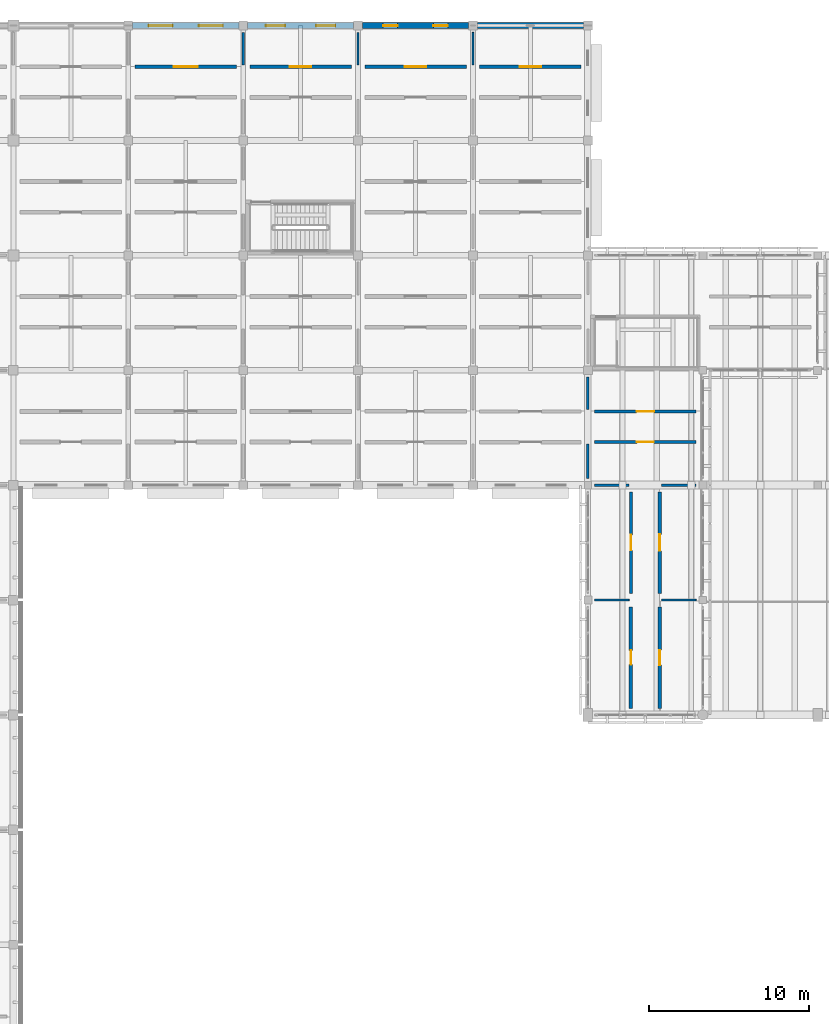
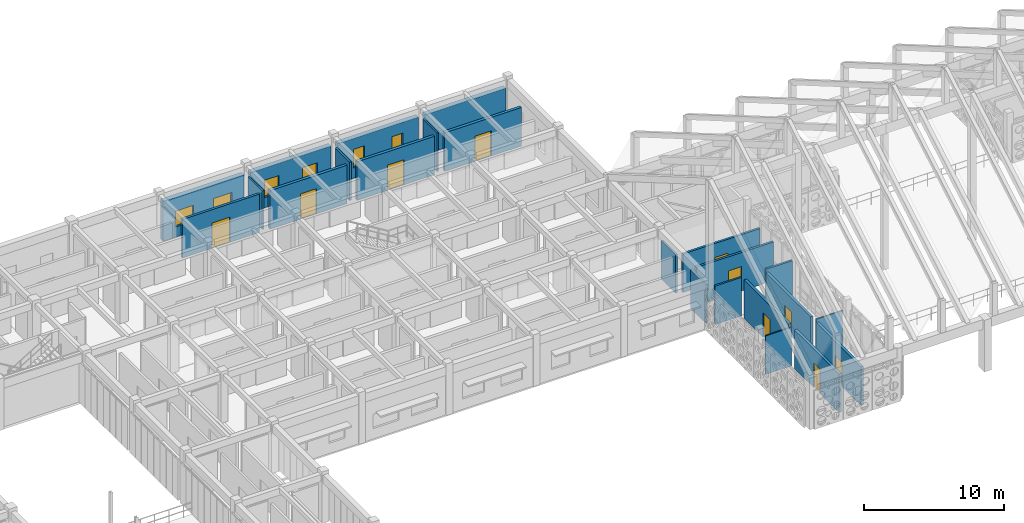
# One storey, part 129 of 171: 23 walls, 10 doors, 6 windows, 16 openings.
"""IFC4 building model written with IfcOpenShell, lengths in metres."""

import ifcopenshell
import ifcopenshell.guid

model = None  # the IFC model being written
_history = None  # IfcOwnerHistory: only IFC2X3 demands one
_inside = {}  # id of a spatial element -> (the spatial element, [elements in it])
_under = {}  # id of a project, library or spatial element -> (it, [spatial elements below it])
_declared = {}  # id of a project -> (the project, [libraries it declares])
_typed = {}  # id of a type object -> (the type object, [elements of that type])
_made_of = {}  # id of a material, layer set ... -> (it, [elements and type objects made of it])


def new_model(schema):
    """Start an empty IFC model of exactly this schema.

    Asked for "IFC4X3", IfcOpenShell would pick the latest addendum, in which some entities
    have other attributes; the version numbers below select the first issue.
    IFC2X3 requires an IfcOwnerHistory on every rooted entity: one is made here for all.
    """
    global model, _history
    if schema == "IFC4X3":
        model = ifcopenshell.file(schema_version=(4, 3, 0, 0))
    else:
        model = ifcopenshell.file(schema=schema)
    _inside.clear()
    _under.clear()
    _declared.clear()
    _typed.clear()
    _made_of.clear()
    _history = None
    if model.schema == "IFC2X3":
        org = make("IfcOrganization", Name="unknown")
        user = make(
            "IfcPersonAndOrganization",
            ThePerson=make("IfcPerson", FamilyName="unknown"),
            TheOrganization=org,
        )
        app = make(
            "IfcApplication",
            ApplicationDeveloper=org,
            Version="unknown",
            ApplicationFullName="unknown",
            ApplicationIdentifier="unknown",
        )
        _history = make(
            "IfcOwnerHistory",
            OwningUser=user,
            OwningApplication=app,
            ChangeAction="ADDED",
            CreationDate=0,
        )
    return model


def make(cls, **values):
    """One entity of the class cls with the attributes given. An attribute that is None is left unset."""
    return model.create_entity(
        cls, **{name: value for name, value in values.items() if value is not None}
    )


def rooted(cls, **values):
    """An entity with a GlobalId (a new one), such as an element, a storey or a relation."""
    return make(cls, GlobalId=ifcopenshell.guid.new(), OwnerHistory=_history, **values)


def si_unit(unit_type, name, prefix=None):
    """IfcSIUnit, for example si_unit("LENGTHUNIT", "METRE", prefix="MILLI")."""
    return make("IfcSIUnit", UnitType=unit_type, Prefix=prefix, Name=name)


def assignment(units):
    """IfcUnitAssignment: the units of a project."""
    return None if units is None else make("IfcUnitAssignment", Units=units)


def point(xyz):
    """IfcCartesianPoint."""
    return None if xyz is None else make("IfcCartesianPoint", Coordinates=xyz)


def direction(xyz):
    """IfcDirection."""
    return None if xyz is None else make("IfcDirection", DirectionRatios=xyz)


def frame(location, z_axis=None, x_axis=None):
    """IfcAxis2Placement3D, a coordinate frame: its origin and axes. An axis left out is left unset."""
    return make(
        "IfcAxis2Placement3D",
        Location=point(location),
        Axis=direction(z_axis),
        RefDirection=direction(x_axis),
    )


def frame_2d(location, x_axis=None):
    """IfcAxis2Placement2D, a coordinate frame in the plane: its origin and x axis."""
    return make(
        "IfcAxis2Placement2D", Location=point(location), RefDirection=direction(x_axis)
    )


def origin():
    """The frame at (0, 0, 0) with its axes left unset."""
    return frame((0.0, 0.0, 0.0))


def place(relative_to, where):
    """IfcLocalPlacement: puts the frame where relative to a parent placement (None: the world)."""
    return make(
        "IfcLocalPlacement", PlacementRelTo=relative_to, RelativePlacement=where
    )


def context(
    kind, dimensions, precision=None, world=None, true_north=None, identifier=None
):
    """IfcGeometricRepresentationContext, for example the 3D "Model" context."""
    return make(
        "IfcGeometricRepresentationContext",
        ContextIdentifier=identifier,
        ContextType=kind,
        CoordinateSpaceDimension=dimensions,
        Precision=precision,
        WorldCoordinateSystem=world,
        TrueNorth=true_north,
    )


def subcontext(parent, identifier, kind, view, scale=None):
    """IfcGeometricRepresentationSubContext, for example "Body" below "Model"."""
    return make(
        "IfcGeometricRepresentationSubContext",
        ContextIdentifier=identifier,
        ContextType=kind,
        ParentContext=parent,
        TargetScale=scale,
        TargetView=view,
    )


def project(units=None, contexts=None):
    """IfcProject with its units and contexts."""
    return rooted(
        "IfcProject",
        Name="project",
        RepresentationContexts=contexts,
        UnitsInContext=assignment(units),
    )


def spatial(cls, under=None, at=None, **own):
    """A site, building, storey or space (cls), placed at a placement, below another one or the project."""
    s = rooted(cls, ObjectPlacement=at, **own)
    if under is not None:
        _under.setdefault(under.id(), (under, []))[1].append(s)
    return s


def profile(cls, at=None, kind="AREA", **sizes):
    """A parametric profile (cls). Its sizes go by their IFC names, for example OverallWidth=200.0."""
    return make(cls, ProfileType=kind, Position=at, **sizes)


def rectangle(**sizes):
    """IfcRectangleProfileDef."""
    return profile("IfcRectangleProfileDef", **sizes)


def extrude(swept, where, along, depth):
    """IfcExtrudedAreaSolid: the profile swept, set in the frame where, extruded along a direction by depth."""
    return make(
        "IfcExtrudedAreaSolid",
        SweptArea=swept,
        Position=where,
        ExtrudedDirection=direction(along),
        Depth=depth,
    )


def shape(context_of_items, identifier, shape_type, items):
    """IfcShapeRepresentation: the items that make up one representation, for example the "Body"."""
    return make(
        "IfcShapeRepresentation",
        ContextOfItems=context_of_items,
        RepresentationIdentifier=identifier,
        RepresentationType=shape_type,
        Items=items,
    )


def material(Name=None, Category=None):
    """IfcMaterial."""
    return make("IfcMaterial", Name=Name, Category=Category)


def layer(
    of_material, thickness, ventilated=None, Name=None, Category=None, Priority=None
):
    """IfcMaterialLayer: one layer of a wall or slab, of a material (None: an air gap)."""
    return make(
        "IfcMaterialLayer",
        Material=of_material,
        LayerThickness=thickness,
        IsVentilated=ventilated,
        Name=Name,
        Category=Category,
        Priority=Priority,
    )


def layer_set(layers, Name=None):
    """IfcMaterialLayerSet."""
    return make("IfcMaterialLayerSet", MaterialLayers=layers, LayerSetName=Name)


def made_of(thing, what):
    """Note that an element or type object is made of a material, layer set ...; save() writes the relation."""
    if what is not None:
        _made_of.setdefault(what.id(), (what, []))[1].append(thing)
    return thing


def type_object(cls, material=None, **own):
    """A type object (cls), such as IfcWallType, which elements share."""
    return made_of(rooted(cls, **own), material)


def element(
    cls,
    number,
    at=None,
    inside=None,
    cuts=None,
    type_object=None,
    material=None,
    context=None,
    identifier="Body",
    shape_type=None,
    held_by="IfcProductDefinitionShape",
    body=None,
    shapes=None,
    **own,
):
    """One element of the class cls, such as IfcWall. Its Tag is "e" and its number.

    at: its placement. inside: the storey or other place that contains it. cuts: it is an
    opening in that element (IfcRelVoidsElement). A single representation is given by context,
    identifier, shape_type and body (its items); several are given by shapes. held_by: the class
    of the entity that holds the representations. save() writes the other relations.
    """
    e = rooted(cls, Tag="e%d" % number, ObjectPlacement=at, **own)
    if body is not None:
        shapes = [shape(context, identifier, shape_type, body)]
    if shapes is not None:
        e.Representation = make(held_by, Representations=shapes)
    if inside is not None:
        _inside.setdefault(inside.id(), (inside, []))[1].append(e)
    if cuts is not None:
        rooted(
            "IfcRelVoidsElement", RelatingBuildingElement=cuts, RelatedOpeningElement=e
        )
    if type_object is not None:
        _typed.setdefault(type_object.id(), (type_object, []))[1].append(e)
    return made_of(e, material)


def fill(opening, filler):
    """IfcRelFillsElement: the door or window that sits in an opening."""
    return rooted(
        "IfcRelFillsElement",
        RelatingOpeningElement=opening,
        RelatedBuildingElement=filler,
    )


def aggregate(whole, parts):
    """IfcRelAggregates: a whole, such as a stair, and the parts it consists of."""
    return rooted("IfcRelAggregates", RelatingObject=whole, RelatedObjects=parts)


def save(model, path):
    """Write the relations noted so far, then the file.

    IfcRelAggregates (storeys below a building ...), IfcRelContainedInSpatialStructure (elements
    in a storey), IfcRelDefinesByType, IfcRelAssociatesMaterial and IfcRelDeclares: one each for
    every whole, place, type object, material and project.
    """
    for whole, parts in _under.values():
        aggregate(whole, parts)
    for where, things in _inside.values():
        rooted(
            "IfcRelContainedInSpatialStructure",
            RelatedElements=things,
            RelatingStructure=where,
        )
    for kind, things in _typed.values():
        rooted("IfcRelDefinesByType", RelatedObjects=things, RelatingType=kind)
    for what, things in _made_of.values():
        rooted("IfcRelAssociatesMaterial", RelatedObjects=things, RelatingMaterial=what)
    for by, libraries in _declared.values():
        rooted("IfcRelDeclares", RelatingContext=by, RelatedDefinitions=libraries)
    model.write(path)


model = new_model("IFC4")

# Units and contexts
model_context = context("Model", 3, precision=1e-05, world=origin(), true_north=direction((0.0, 1.0)))
body_context = subcontext(model_context, "Body", "Model", "MODEL_VIEW")
ifc_project = project(units=[si_unit("LENGTHUNIT", "METRE"), si_unit("AREAUNIT", "SQUARE_METRE"), si_unit("VOLUMEUNIT", "CUBIC_METRE"), si_unit("PLANEANGLEUNIT", "RADIAN"), si_unit("MASSUNIT", "GRAM", prefix="KILO")], contexts=[model_context])

# Site, building, storey
site_placement = place(None, origin())
site = spatial("IfcSite", under=ifc_project, at=site_placement, CompositionType="ELEMENT")
building_placement = place(site_placement, origin())
building = spatial("IfcBuilding", under=site, at=building_placement, Name="Aldebral Square Health Centre", CompositionType="ELEMENT")
storey_placement = place(building_placement, frame((0.0, 0.0, 4.5)))
storey = spatial("IfcBuildingStorey", under=building, at=storey_placement, Name="L01", CompositionType="ELEMENT", Elevation=4.5)

# Wall, openings, windows
ifc_material_1 = material(Name="Lead-lined concrete C40/50 radiology exterior wall", Category="concrete")
ifc_layer_1 = layer(ifc_material_1, 0.3798828125, Name="Lead-lined concrete C40/50 radiology exterior wall", Category="concrete")
ifc_layer_set_1 = layer_set([ifc_layer_1], Name="Lead-lined concrete C40/50 radiology exterior wall")
wall_type_1 = type_object("IfcWallType", Name="EW-SHD-380", PredefinedType="SOLIDWALL", material=ifc_layer_set_1)
wall_1_placement = place(storey_placement, frame((42.925048828125, 115.199951171875, 0.0), z_axis=(0.0, 0.0, 1.0), x_axis=(-1.0, 0.0, 0.0)))
wall_1 = element("IfcWall", 1, at=wall_1_placement, inside=storey, type_object=wall_type_1, Name="L01 V2 exterior wall L01-V2-05-15-N", PredefinedType="SOLIDWALL", context=body_context, shape_type="SweptSolid", body=[
    extrude(rectangle(XDim=6.650146484375, YDim=0.3798828125, at=frame_2d((3.3251953125, 0.0))), origin(), (0.0, 0.0, 1.0), 3.469970703125),
])
opening_1_placement = place(wall_1_placement, frame((1.0, 0.0, 0.89990234375)))
opening_1 = element("IfcOpeningElement", 2, at=opening_1_placement, cuts=wall_1, Name="Opening W14", PredefinedType="OPENING", context=body_context, shape_type="SweptSolid", body=[
    extrude(rectangle(XDim=1.5, YDim=1.3798828125, at=frame_2d((0.75, 0.68994140625))), frame((0.0, 0.199951171875, 0.0), z_axis=(0.0, -1.0, 0.0), x_axis=(1.0, 0.0, 0.0)), (0.0, 0.0, 1.0), 0.39990234375),
])
opening_2_placement = place(wall_1_placement, frame((4.14990234375, 0.0, 0.89990234375)))
opening_2 = element("IfcOpeningElement", 3, at=opening_2_placement, cuts=wall_1, Name="Opening W14", PredefinedType="OPENING", context=body_context, shape_type="SweptSolid", body=[
    extrude(rectangle(XDim=1.5, YDim=1.3798828125, at=frame_2d((0.75, 0.68994140625))), frame((0.0, 0.199951171875, 0.0), z_axis=(0.0, -1.0, 0.0), x_axis=(1.0, 0.0, 0.0)), (0.0, 0.0, 1.0), 0.39990234375),
])
ifc_material_2 = material(Name="Thermally broken aluminium and low-E glass", Category="aluminium")
window_type_1 = type_object("IfcWindowType", Name="WIN-W14", PartitioningType="SINGLE_PANEL", PredefinedType="WINDOW", material=ifc_material_2)
window_1_placement = place(opening_1_placement, origin())
window_1 = element("IfcWindow", 4, at=window_1_placement, inside=storey, type_object=window_type_1, Name="L01 clinical window L01-V2-05-15-N.1", OverallHeight=1.3798828125, OverallWidth=1.5, PartitioningType="SINGLE_PANEL", PredefinedType="WINDOW", context=body_context, shape_type="SweptSolid", body=[
    extrude(rectangle(XDim=1.5, YDim=1.3798828125, at=frame_2d((0.75, 0.68994140625))), frame((0.0, 0.030029296875, 0.0), z_axis=(0.0, -1.0, 0.0), x_axis=(1.0, 0.0, 0.0)), (0.0, 0.0, 1.0), 0.06005859375),
])
fill(opening_1, window_1)
window_2_placement = place(opening_2_placement, origin())
window_2 = element("IfcWindow", 5, at=window_2_placement, inside=storey, type_object=window_type_1, Name="L01 clinical window L01-V2-05-15-N.2", OverallHeight=1.3798828125, OverallWidth=1.5, PartitioningType="SINGLE_PANEL", PredefinedType="WINDOW", context=body_context, shape_type="SweptSolid", body=[
    extrude(rectangle(XDim=1.5, YDim=1.3798828125, at=frame_2d((0.75, 0.68994140625))), frame((0.0, 0.030029296875, 0.0), z_axis=(0.0, -1.0, 0.0), x_axis=(1.0, 0.0, 0.0)), (0.0, 0.0, 1.0), 0.06005859375),
])
fill(opening_2, window_2)

wall_2_placement = place(storey_placement, frame((50.125, 115.199951171875, 0.0), z_axis=(0.0, 0.0, 1.0), x_axis=(-1.0, 0.0, 0.0)))
wall_2 = element("IfcWall", 6, at=wall_2_placement, inside=storey, type_object=wall_type_1, Name="L01 V2 exterior wall L01-V2-06-15-N", PredefinedType="SOLIDWALL", context=body_context, shape_type="SweptSolid", body=[
    extrude(rectangle(XDim=6.64990234375, YDim=0.3798828125, at=frame_2d((3.324951171875, 0.0))), origin(), (0.0, 0.0, 1.0), 3.469970703125),
])
opening_3_placement = place(wall_2_placement, frame((1.14990234375, 0.0, 0.89990234375)))
opening_3 = element("IfcOpeningElement", 7, at=opening_3_placement, cuts=wall_2, Name="Opening W21", PredefinedType="OPENING", context=body_context, shape_type="SweptSolid", body=[
    extrude(rectangle(XDim=1.199951171875, YDim=1.5, at=frame_2d((0.60009765625, 0.75))), frame((0.0, 0.199951171875, 0.0), z_axis=(0.0, -1.0, 0.0), x_axis=(1.0, 0.0, 0.0)), (0.0, 0.0, 1.0), 0.39990234375),
])
opening_4_placement = place(wall_2_placement, frame((4.300048828125, 0.0, 0.89990234375)))
opening_4 = element("IfcOpeningElement", 8, at=opening_4_placement, cuts=wall_2, Name="Opening W21", PredefinedType="OPENING", context=body_context, shape_type="SweptSolid", body=[
    extrude(rectangle(XDim=1.199951171875, YDim=1.5, at=frame_2d((0.60009765625, 0.75))), frame((0.0, 0.199951171875, 0.0), z_axis=(0.0, -1.0, 0.0), x_axis=(1.0, 0.0, 0.0)), (0.0, 0.0, 1.0), 0.39990234375),
])
window_type_2 = type_object("IfcWindowType", Name="WIN-W21", PartitioningType="SINGLE_PANEL", PredefinedType="WINDOW", material=ifc_material_2)
window_3_placement = place(opening_3_placement, origin())
window_3 = element("IfcWindow", 9, at=window_3_placement, inside=storey, type_object=window_type_2, Name="L01 clinical window L01-V2-06-15-N.1", OverallHeight=1.5, OverallWidth=1.199951171875, PartitioningType="SINGLE_PANEL", PredefinedType="WINDOW", context=body_context, shape_type="SweptSolid", body=[
    extrude(rectangle(XDim=1.199951171875, YDim=1.5, at=frame_2d((0.60009765625, 0.75))), frame((0.0, 0.030029296875, 0.0), z_axis=(0.0, -1.0, 0.0), x_axis=(1.0, 0.0, 0.0)), (0.0, 0.0, 1.0), 0.06005859375),
])
fill(opening_3, window_3)
window_4_placement = place(opening_4_placement, origin())
window_4 = element("IfcWindow", 10, at=window_4_placement, inside=storey, type_object=window_type_2, Name="L01 clinical window L01-V2-06-15-N.2", OverallHeight=1.5, OverallWidth=1.199951171875, PartitioningType="SINGLE_PANEL", PredefinedType="WINDOW", context=body_context, shape_type="SweptSolid", body=[
    extrude(rectangle(XDim=1.199951171875, YDim=1.5, at=frame_2d((0.60009765625, 0.75))), frame((0.0, 0.030029296875, 0.0), z_axis=(0.0, -1.0, 0.0), x_axis=(1.0, 0.0, 0.0)), (0.0, 0.0, 1.0), 0.06005859375),
])
fill(opening_4, window_4)

wall_3_placement = place(storey_placement, frame((57.324951171875, 115.199951171875, 0.0), z_axis=(0.0, 0.0, 1.0), x_axis=(-1.0, 0.0, 0.0)))
wall_3 = element("IfcWall", 11, at=wall_3_placement, inside=storey, type_object=wall_type_1, Name="L01 V2 exterior wall L01-V2-07-15-N", PredefinedType="SOLIDWALL", context=body_context, shape_type="SweptSolid", body=[
    extrude(rectangle(XDim=6.64990234375, YDim=0.3798828125, at=frame_2d((3.324951171875, 0.0))), origin(), (0.0, 0.0, 1.0), 3.469970703125),
])
opening_5_placement = place(wall_3_placement, frame((1.300048828125, 0.0, 0.89990234375)))
opening_5 = element("IfcOpeningElement", 12, at=opening_5_placement, cuts=wall_3, Name="Opening W28", PredefinedType="OPENING", context=body_context, shape_type="SweptSolid", body=[
    extrude(rectangle(XDim=0.89990234375, YDim=1.6201171875, at=frame_2d((0.449951171875, 0.81005859375))), frame((0.0, 0.199951171875, 0.0), z_axis=(0.0, -1.0, 0.0), x_axis=(1.0, 0.0, 0.0)), (0.0, 0.0, 1.0), 0.39990234375),
])
opening_6_placement = place(wall_3_placement, frame((4.449951171875, 0.0, 0.89990234375)))
opening_6 = element("IfcOpeningElement", 13, at=opening_6_placement, cuts=wall_3, Name="Opening W28", PredefinedType="OPENING", context=body_context, shape_type="SweptSolid", body=[
    extrude(rectangle(XDim=0.89990234375, YDim=1.6201171875, at=frame_2d((0.449951171875, 0.81005859375))), frame((0.0, 0.199951171875, 0.0), z_axis=(0.0, -1.0, 0.0), x_axis=(1.0, 0.0, 0.0)), (0.0, 0.0, 1.0), 0.39990234375),
])
window_type_3 = type_object("IfcWindowType", Name="WIN-W28", PartitioningType="SINGLE_PANEL", PredefinedType="WINDOW", material=ifc_material_2)
window_5_placement = place(opening_5_placement, origin())
window_5 = element("IfcWindow", 14, at=window_5_placement, inside=storey, type_object=window_type_3, Name="L01 clinical window L01-V2-07-15-N.1", OverallHeight=1.6201171875, OverallWidth=0.89990234375, PartitioningType="SINGLE_PANEL", PredefinedType="WINDOW", context=body_context, shape_type="SweptSolid", body=[
    extrude(rectangle(XDim=0.89990234375, YDim=1.6201171875, at=frame_2d((0.449951171875, 0.81005859375))), frame((0.0, 0.030029296875, 0.0), z_axis=(0.0, -1.0, 0.0), x_axis=(1.0, 0.0, 0.0)), (0.0, 0.0, 1.0), 0.06005859375),
])
fill(opening_5, window_5)
window_6_placement = place(opening_6_placement, origin())
window_6 = element("IfcWindow", 15, at=window_6_placement, inside=storey, type_object=window_type_3, Name="L01 clinical window L01-V2-07-15-N.2", OverallHeight=1.6201171875, OverallWidth=0.89990234375, PartitioningType="SINGLE_PANEL", PredefinedType="WINDOW", context=body_context, shape_type="SweptSolid", body=[
    extrude(rectangle(XDim=0.89990234375, YDim=1.6201171875, at=frame_2d((0.449951171875, 0.81005859375))), frame((0.0, 0.030029296875, 0.0), z_axis=(0.0, -1.0, 0.0), x_axis=(1.0, 0.0, 0.0)), (0.0, 0.0, 1.0), 0.06005859375),
])
fill(opening_6, window_6)

# Wall
wall_4_placement = place(storey_placement, frame((64.52490234375, 115.199951171875, 0.0), z_axis=(0.0, 0.0, 1.0), x_axis=(-1.0, 0.0, 0.0)))
element("IfcWall", 16, at=wall_4_placement, inside=storey, type_object=wall_type_1, Name="L01 V2 exterior wall L01-V2-08-15-N", PredefinedType="SOLIDWALL", context=body_context, shape_type="SweptSolid", body=[
    extrude(rectangle(XDim=6.64990234375, YDim=0.3798828125, at=frame_2d((3.324951171875, 0.0))), origin(), (0.0, 0.0, 1.0), 3.469970703125),
])

# Wall, opening, door
ifc_material_3 = material(Name="Concrete C35/45 compartment wall", Category="concrete")
ifc_layer_2 = layer(ifc_material_3, 0.199951171875, Name="Concrete C35/45 compartment wall", Category="concrete")
ifc_layer_set_2 = layer_set([ifc_layer_2], Name="Concrete C35/45 compartment wall")
wall_type_2 = type_object("IfcWallType", Name="IW-CMP-200", PredefinedType="SOLIDWALL", material=ifc_layer_set_2)
wall_5_placement = place(storey_placement, frame((67.5, 79.6201171875, 0.0), z_axis=(0.0, 0.0, 1.0), x_axis=(0.0, 1.0, 0.0)))
wall_5 = element("IfcWall", 17, at=wall_5_placement, inside=storey, type_object=wall_type_2, Name="L01 Outpatient Pharmacy Counseling 10.12W corridor wall", PredefinedType="SOLIDWALL", context=body_context, shape_type="SweptSolid", body=[
    extrude(rectangle(XDim=6.35986328125, YDim=0.199951171875, at=frame_2d((3.179931640625, 0.0))), origin(), (0.0, 0.0, 1.0), 3.360107421875),
])
opening_7_placement = place(wall_5_placement, frame((2.68994140625, 0.0, 0.0)))
opening_7 = element("IfcOpeningElement", 18, at=opening_7_placement, cuts=wall_5, Name="Opening D-0187", PredefinedType="OPENING", context=body_context, shape_type="SweptSolid", body=[
    extrude(rectangle(XDim=0.97998046875, YDim=2.139892578125, at=frame_2d((0.489990234375, 1.06982421875))), frame((0.0, 0.10986328125, 0.0), z_axis=(0.0, -1.0, 0.0), x_axis=(1.0, 0.0, 0.0)), (0.0, 0.0, 1.0), 0.219970703125),
])
ifc_material_4 = material(Name="Clinical suite fire door")
door_type_1 = type_object("IfcDoorType", Name="ID-EXD-34", OperationType="NOTDEFINED", PredefinedType="DOOR", material=ifc_material_4)
door_1_placement = place(opening_7_placement, origin())
door_1 = element("IfcDoor", 19, at=door_1_placement, inside=storey, type_object=door_type_1, Name="L01 Outpatient Pharmacy Counseling 10.12W door", OperationType="SINGLE_SWING_RIGHT", OverallHeight=2.139892578125, OverallWidth=0.97998046875, PredefinedType="DOOR", context=body_context, shape_type="SweptSolid", body=[
    extrude(rectangle(XDim=0.97998046875, YDim=2.139892578125, at=frame_2d((0.489990234375, 1.06982421875))), frame((0.0, 0.02490234375, 0.0), z_axis=(0.0, -1.0, 0.0), x_axis=(1.0, 0.0, 0.0)), (0.0, 0.0, 1.0), 0.050048828125),
])
fill(opening_7, door_1)

wall_6_placement = place(storey_placement, frame((36.419921875, 112.6201171875, 0.0), z_axis=(0.0, 0.0, 1.0), x_axis=(1.0, 0.0, 0.0)))
wall_6 = element("IfcWall", 20, at=wall_6_placement, inside=storey, type_object=wall_type_2, Name="L01 Imaging Equipment Plant Room 6.16N corridor wall", PredefinedType="SOLIDWALL", context=body_context, shape_type="SweptSolid", body=[
    extrude(rectangle(XDim=6.360107421875, YDim=0.199951171875, at=frame_2d((3.18017578125, 0.0))), origin(), (0.0, 0.0, 1.0), 3.360107421875),
])
opening_8_placement = place(wall_6_placement, frame((2.429931640625, 0.0, 0.0)))
opening_8 = element("IfcOpeningElement", 21, at=opening_8_placement, cuts=wall_6, Name="Opening D-0218", PredefinedType="OPENING", context=body_context, shape_type="SweptSolid", body=[
    extrude(rectangle(XDim=1.5, YDim=2.199951171875, at=frame_2d((0.75, 1.10009765625))), frame((0.0, 0.10986328125, 0.0), z_axis=(0.0, -1.0, 0.0), x_axis=(1.0, 0.0, 0.0)), (0.0, 0.0, 1.0), 0.219970703125),
])
ifc_material_5 = material(Name="Surgical suite double-leaf fire door")
door_type_2 = type_object("IfcDoorType", Name="ID-OR-150", OperationType="NOTDEFINED", PredefinedType="DOOR", material=ifc_material_5)
door_2_placement = place(opening_8_placement, origin())
door_2 = element("IfcDoor", 22, at=door_2_placement, inside=storey, type_object=door_type_2, Name="L01 Imaging Equipment Plant Room 6.16N door", OperationType="SINGLE_SWING_LEFT", OverallHeight=2.199951171875, OverallWidth=1.5, PredefinedType="DOOR", context=body_context, shape_type="SweptSolid", body=[
    extrude(rectangle(XDim=1.5, YDim=2.199951171875, at=frame_2d((0.75, 1.10009765625))), frame((0.0, 0.02490234375, 0.0), z_axis=(0.0, -1.0, 0.0), x_axis=(1.0, 0.0, 0.0)), (0.0, 0.0, 1.0), 0.050048828125),
])
fill(opening_8, door_2)

ifc_layer_3 = layer(ifc_material_3, 0.219970703125, Name="Concrete C35/45 compartment wall", Category="concrete")
ifc_layer_set_3 = layer_set([ifc_layer_3], Name="Concrete C35/45 compartment wall")
wall_type_3 = type_object("IfcWallType", Name="IW-CMP-220", PredefinedType="SOLIDWALL", material=ifc_layer_set_3)
wall_7_placement = place(storey_placement, frame((67.5, 72.419921875, 0.0), z_axis=(0.0, 0.0, 1.0), x_axis=(0.0, 1.0, 0.0)))
wall_7 = element("IfcWall", 23, at=wall_7_placement, inside=storey, type_object=wall_type_3, Name="L01 Waiting Gallery 10.11W corridor wall", PredefinedType="SOLIDWALL", context=body_context, shape_type="SweptSolid", body=[
    extrude(rectangle(XDim=6.360107421875, YDim=0.219970703125, at=frame_2d((3.18017578125, 0.0))), origin(), (0.0, 0.0, 1.0), 3.360107421875),
])
opening_9_placement = place(wall_7_placement, frame((2.72998046875, 0.0, 0.0)))
opening_9 = element("IfcOpeningElement", 24, at=opening_9_placement, cuts=wall_7, Name="Opening D-0185", PredefinedType="OPENING", context=body_context, shape_type="SweptSolid", body=[
    extrude(rectangle(XDim=0.89990234375, YDim=2.139892578125, at=frame_2d((0.449951171875, 1.06982421875))), frame((0.0, 0.1201171875, 0.0), z_axis=(0.0, -1.0, 0.0), x_axis=(1.0, 0.0, 0.0)), (0.0, 0.0, 1.0), 0.239990234375),
])
door_type_3 = type_object("IfcDoorType", Name="ID-EXD-32", OperationType="NOTDEFINED", PredefinedType="DOOR", material=ifc_material_4)
door_3_placement = place(opening_9_placement, origin())
door_3 = element("IfcDoor", 25, at=door_3_placement, inside=storey, type_object=door_type_3, Name="L01 Waiting Gallery 10.11W door", OperationType="SINGLE_SWING_RIGHT", OverallHeight=2.139892578125, OverallWidth=0.89990234375, PredefinedType="DOOR", context=body_context, shape_type="SweptSolid", body=[
    extrude(rectangle(XDim=0.89990234375, YDim=2.139892578125, at=frame_2d((0.449951171875, 1.06982421875))), frame((0.0, 0.02490234375, 0.0), z_axis=(0.0, -1.0, 0.0), x_axis=(1.0, 0.0, 0.0)), (0.0, 0.0, 1.0), 0.050048828125),
])
fill(opening_9, door_3)

wall_8_placement = place(storey_placement, frame((69.300048828125, 72.419921875, 0.0), z_axis=(0.0, 0.0, 1.0), x_axis=(0.0, 1.0, 0.0)))
wall_8 = element("IfcWall", 26, at=wall_8_placement, inside=storey, type_object=wall_type_3, Name="L01 Patient Information Desk 10.11E corridor wall", PredefinedType="SOLIDWALL", context=body_context, shape_type="SweptSolid", body=[
    extrude(rectangle(XDim=6.360107421875, YDim=0.219970703125, at=frame_2d((3.18017578125, 0.0))), origin(), (0.0, 0.0, 1.0), 3.360107421875),
])
opening_10_placement = place(wall_8_placement, frame((2.7099609375, 0.0, 0.0)))
opening_10 = element("IfcOpeningElement", 27, at=opening_10_placement, cuts=wall_8, Name="Opening D-0186", PredefinedType="OPENING", context=body_context, shape_type="SweptSolid", body=[
    extrude(rectangle(XDim=0.93994140625, YDim=2.139892578125, at=frame_2d((0.469970703125, 1.06982421875))), frame((0.0, 0.1201171875, 0.0), z_axis=(0.0, -1.0, 0.0), x_axis=(1.0, 0.0, 0.0)), (0.0, 0.0, 1.0), 0.239990234375),
])
door_type_4 = type_object("IfcDoorType", Name="ID-EXD-33", OperationType="NOTDEFINED", PredefinedType="DOOR", material=ifc_material_4)
door_4_placement = place(opening_10_placement, origin())
door_4 = element("IfcDoor", 28, at=door_4_placement, inside=storey, type_object=door_type_4, Name="L01 Patient Information Desk 10.11E door", OperationType="SINGLE_SWING_LEFT", OverallHeight=2.139892578125, OverallWidth=0.93994140625, PredefinedType="DOOR", context=body_context, shape_type="SweptSolid", body=[
    extrude(rectangle(XDim=0.93994140625, YDim=2.139892578125, at=frame_2d((0.469970703125, 1.06982421875))), frame((0.0, 0.02490234375, 0.0), z_axis=(0.0, -1.0, 0.0), x_axis=(1.0, 0.0, 0.0)), (0.0, 0.0, 1.0), 0.050048828125),
])
fill(opening_10, door_4)

ifc_material_6 = material(Name="Fire-rated acoustic gypsum partition")
ifc_layer_4 = layer(ifc_material_6, 0.179931640625, Name="Fire-rated acoustic gypsum partition")
ifc_layer_set_4 = layer_set([ifc_layer_4], Name="Fire-rated acoustic gypsum partition")
wall_type_4 = type_object("IfcWallType", Name="IW-COR-180", PredefinedType="PARTITIONING", material=ifc_layer_set_4)
wall_9_placement = place(storey_placement, frame((65.219970703125, 89.10009765625, 0.0), z_axis=(0.0, 0.0, 1.0), x_axis=(1.0, 0.0, 0.0)))
wall_9 = element("IfcWall", 29, at=wall_9_placement, inside=storey, type_object=wall_type_4, Name="L01 Waiting Gallery 10.13S corridor wall", PredefinedType="PARTITIONING", context=body_context, shape_type="SweptSolid", body=[
    extrude(rectangle(XDim=6.360107421875, YDim=0.179931640625, at=frame_2d((3.18017578125, 0.0))), origin(), (0.0, 0.0, 1.0), 3.360107421875),
])
opening_11_placement = place(wall_9_placement, frame((2.64990234375, 0.0, 0.0)))
opening_11 = element("IfcOpeningElement", 30, at=opening_11_placement, cuts=wall_9, Name="Opening D-0189", PredefinedType="OPENING", context=body_context, shape_type="SweptSolid", body=[
    extrude(rectangle(XDim=1.06005859375, YDim=2.139892578125, at=frame_2d((0.530029296875, 1.06982421875))), frame((0.0, 0.10009765625, 0.0), z_axis=(0.0, -1.0, 0.0), x_axis=(1.0, 0.0, 0.0)), (0.0, 0.0, 1.0), 0.199951171875),
])
door_type_5 = type_object("IfcDoorType", Name="ID-EXD-36", OperationType="NOTDEFINED", PredefinedType="DOOR", material=ifc_material_4)
door_5_placement = place(opening_11_placement, origin())
door_5 = element("IfcDoor", 31, at=door_5_placement, inside=storey, type_object=door_type_5, Name="L01 Waiting Gallery 10.13S door", OperationType="SINGLE_SWING_RIGHT", OverallHeight=2.139892578125, OverallWidth=1.06005859375, PredefinedType="DOOR", context=body_context, shape_type="SweptSolid", body=[
    extrude(rectangle(XDim=1.06005859375, YDim=2.139892578125, at=frame_2d((0.530029296875, 1.06982421875))), frame((0.0, 0.02490234375, 0.0), z_axis=(0.0, -1.0, 0.0), x_axis=(1.0, 0.0, 0.0)), (0.0, 0.0, 1.0), 0.050048828125),
])
fill(opening_11, door_5)

wall_10_placement = place(storey_placement, frame((65.219970703125, 91.02001953125, 0.0), z_axis=(0.0, 0.0, 1.0), x_axis=(1.0, 0.0, 0.0)))
wall_10 = element("IfcWall", 32, at=wall_10_placement, inside=storey, type_object=wall_type_4, Name="L01 Patient Information Desk 10.13N corridor wall", PredefinedType="PARTITIONING", context=body_context, shape_type="SweptSolid", body=[
    extrude(rectangle(XDim=6.360107421875, YDim=0.179931640625, at=frame_2d((3.18017578125, 0.0))), origin(), (0.0, 0.0, 1.0), 3.360107421875),
])
opening_12_placement = place(wall_10_placement, frame((2.6298828125, 0.0, 0.0)))
opening_12 = element("IfcOpeningElement", 33, at=opening_12_placement, cuts=wall_10, Name="Opening D-0190", PredefinedType="OPENING", context=body_context, shape_type="SweptSolid", body=[
    extrude(rectangle(XDim=1.10009765625, YDim=2.139892578125, at=frame_2d((0.550048828125, 1.06982421875))), frame((0.0, 0.10009765625, 0.0), z_axis=(0.0, -1.0, 0.0), x_axis=(1.0, 0.0, 0.0)), (0.0, 0.0, 1.0), 0.199951171875),
])
door_type_6 = type_object("IfcDoorType", Name="ID-EXD-37", OperationType="NOTDEFINED", PredefinedType="DOOR", material=ifc_material_4)
door_6_placement = place(opening_12_placement, origin())
door_6 = element("IfcDoor", 34, at=door_6_placement, inside=storey, type_object=door_type_6, Name="L01 Patient Information Desk 10.13N door", OperationType="SINGLE_SWING_LEFT", OverallHeight=2.139892578125, OverallWidth=1.10009765625, PredefinedType="DOOR", context=body_context, shape_type="SweptSolid", body=[
    extrude(rectangle(XDim=1.10009765625, YDim=2.139892578125, at=frame_2d((0.550048828125, 1.06982421875))), frame((0.0, 0.02490234375, 0.0), z_axis=(0.0, -1.0, 0.0), x_axis=(1.0, 0.0, 0.0)), (0.0, 0.0, 1.0), 0.050048828125),
])
fill(opening_12, door_6)

ifc_material_7 = material(Name="Moisture-resistant sanitary chase wall")
ifc_layer_5 = layer(ifc_material_7, 0.2099609375, Name="Moisture-resistant sanitary chase wall")
ifc_layer_set_5 = layer_set([ifc_layer_5], Name="Moisture-resistant sanitary chase wall")
wall_type_5 = type_object("IfcWallType", Name="IW-PLB-210", PredefinedType="PLUMBINGWALL", material=ifc_layer_set_5)
wall_11_placement = place(storey_placement, frame((69.300048828125, 79.6201171875, 0.0), z_axis=(0.0, 0.0, 1.0), x_axis=(0.0, 1.0, 0.0)))
wall_11 = element("IfcWall", 35, at=wall_11_placement, inside=storey, type_object=wall_type_5, Name="L01 Accessible WC 10.12E corridor wall", PredefinedType="PLUMBINGWALL", context=body_context, shape_type="SweptSolid", body=[
    extrude(rectangle(XDim=6.35986328125, YDim=0.2099609375, at=frame_2d((3.179931640625, 0.0))), origin(), (0.0, 0.0, 1.0), 3.360107421875),
])
opening_13_placement = place(wall_11_placement, frame((2.669921875, 0.0, 0.0)))
opening_13 = element("IfcOpeningElement", 36, at=opening_13_placement, cuts=wall_11, Name="Opening D-0188", PredefinedType="OPENING", context=body_context, shape_type="SweptSolid", body=[
    extrude(rectangle(XDim=1.02001953125, YDim=2.139892578125, at=frame_2d((0.510009765625, 1.06982421875))), frame((0.0, 0.114990234375, 0.0), z_axis=(0.0, -1.0, 0.0), x_axis=(1.0, 0.0, 0.0)), (0.0, 0.0, 1.0), 0.22998046875),
])
door_type_7 = type_object("IfcDoorType", Name="ID-EXD-35", OperationType="NOTDEFINED", PredefinedType="DOOR", material=ifc_material_4)
door_7_placement = place(opening_13_placement, origin())
door_7 = element("IfcDoor", 37, at=door_7_placement, inside=storey, type_object=door_type_7, Name="L01 Accessible WC 10.12E door", OperationType="SINGLE_SWING_LEFT", OverallHeight=2.139892578125, OverallWidth=1.02001953125, PredefinedType="DOOR", context=body_context, shape_type="SweptSolid", body=[
    extrude(rectangle(XDim=1.02001953125, YDim=2.139892578125, at=frame_2d((0.510009765625, 1.06982421875))), frame((0.0, 0.02490234375, 0.0), z_axis=(0.0, -1.0, 0.0), x_axis=(1.0, 0.0, 0.0)), (0.0, 0.0, 1.0), 0.050048828125),
])
fill(opening_13, door_7)

# Walls
ifc_material_8 = material(Name="Lightweight clinical partition")
ifc_layer_6 = layer(ifc_material_8, 0.10498046875, Name="Lightweight clinical partition")
ifc_layer_set_6 = layer_set([ifc_layer_6], Name="Lightweight clinical partition")
wall_type_6 = type_object("IfcWallType", Name="IW-PRT-105", PredefinedType="PARTITIONING", material=ifc_layer_set_6)
wall_12_placement = place(storey_placement, frame((65.219970703125, 79.199951171875, 0.0), z_axis=(0.0, 0.0, 1.0), x_axis=(1.0, 0.0, 0.0)))
element("IfcWall", 38, at=wall_12_placement, inside=storey, type_object=wall_type_6, Name="L01 Waiting Gallery 10.11W demising partition", PredefinedType="PARTITIONING", context=body_context, shape_type="SweptSolid", body=[
    extrude(rectangle(XDim=2.159912109375, YDim=0.10498046875, at=frame_2d((1.080078125, 0.0))), origin(), (0.0, 0.0, 1.0), 3.360107421875),
])
wall_13_placement = place(storey_placement, frame((69.419921875, 79.199951171875, 0.0), z_axis=(0.0, 0.0, 1.0), x_axis=(1.0, 0.0, 0.0)))
element("IfcWall", 39, at=wall_13_placement, inside=storey, type_object=wall_type_6, Name="L01 Patient Information Desk 10.11E demising partition", PredefinedType="PARTITIONING", context=body_context, shape_type="SweptSolid", body=[
    extrude(rectangle(XDim=2.16015625, YDim=0.10498046875, at=frame_2d((1.080078125, 0.0))), origin(), (0.0, 0.0, 1.0), 3.360107421875),
])
ifc_material_9 = material(Name="Acoustic clinical gypsum partition")
ifc_layer_7 = layer(ifc_material_9, 0.1201171875, Name="Acoustic clinical gypsum partition")
ifc_layer_set_7 = layer_set([ifc_layer_7], Name="Acoustic clinical gypsum partition")
wall_type_7 = type_object("IfcWallType", Name="IW-PRT-120", PredefinedType="PARTITIONING", material=ifc_layer_set_7)
wall_14_placement = place(storey_placement, frame((57.60009765625, 112.739990234375, 0.0), z_axis=(0.0, 0.0, 1.0), x_axis=(0.0, 1.0, 0.0)))
element("IfcWall", 40, at=wall_14_placement, inside=storey, type_object=wall_type_7, Name="L01 Radiology Reporting Room 8.16N demising partition", PredefinedType="PARTITIONING", context=body_context, shape_type="SweptSolid", body=[
    extrude(rectangle(XDim=2.0400390625, YDim=0.1201171875, at=frame_2d((1.02001953125, 0.0))), origin(), (0.0, 0.0, 1.0), 3.360107421875),
])
ifc_layer_8 = layer(ifc_material_9, 0.135009765625, Name="Acoustic clinical gypsum partition")
ifc_layer_set_8 = layer_set([ifc_layer_8], Name="Acoustic clinical gypsum partition")
wall_type_8 = type_object("IfcWallType", Name="IW-PRT-135", PredefinedType="PARTITIONING", material=ifc_layer_set_8)
wall_15_placement = place(storey_placement, frame((50.39990234375, 112.739990234375, 0.0), z_axis=(0.0, 0.0, 1.0), x_axis=(0.0, 1.0, 0.0)))
element("IfcWall", 41, at=wall_15_placement, inside=storey, type_object=wall_type_8, Name="L01 Radiology Reporting Room 7.16N demising partition", PredefinedType="PARTITIONING", context=body_context, shape_type="SweptSolid", body=[
    extrude(rectangle(XDim=2.0400390625, YDim=0.135009765625, at=frame_2d((1.02001953125, 0.0))), origin(), (0.0, 0.0, 1.0), 3.360107421875),
])
ifc_layer_9 = layer(ifc_material_9, 0.14990234375, Name="Acoustic clinical gypsum partition")
ifc_layer_set_9 = layer_set([ifc_layer_9], Name="Acoustic clinical gypsum partition")
wall_type_9 = type_object("IfcWallType", Name="IW-PRT-150", PredefinedType="PARTITIONING", material=ifc_layer_set_9)
wall_16_placement = place(storey_placement, frame((65.219970703125, 86.39990234375, 0.0), z_axis=(0.0, 0.0, 1.0), x_axis=(1.0, 0.0, 0.0)))
element("IfcWall", 42, at=wall_16_placement, inside=storey, type_object=wall_type_9, Name="L01 Outpatient Pharmacy Counseling 10.12W demising partition", PredefinedType="PARTITIONING", context=body_context, shape_type="SweptSolid", body=[
    extrude(rectangle(XDim=2.159912109375, YDim=0.14990234375, at=frame_2d((1.080078125, 0.0))), origin(), (0.0, 0.0, 1.0), 3.360107421875),
])
wall_17_placement = place(storey_placement, frame((69.419921875, 86.39990234375, 0.0), z_axis=(0.0, 0.0, 1.0), x_axis=(1.0, 0.0, 0.0)))
element("IfcWall", 43, at=wall_17_placement, inside=storey, type_object=wall_type_9, Name="L01 Accessible WC 10.12E demising partition", PredefinedType="PARTITIONING", context=body_context, shape_type="SweptSolid", body=[
    extrude(rectangle(XDim=2.16015625, YDim=0.14990234375, at=frame_2d((1.080078125, 0.0))), origin(), (0.0, 0.0, 1.0), 3.360107421875),
])
wall_18_placement = place(storey_placement, frame((43.199951171875, 112.739990234375, 0.0), z_axis=(0.0, 0.0, 1.0), x_axis=(0.0, 1.0, 0.0)))
element("IfcWall", 44, at=wall_18_placement, inside=storey, type_object=wall_type_9, Name="L01 Imaging Equipment Plant Room 6.16N demising partition", PredefinedType="PARTITIONING", context=body_context, shape_type="SweptSolid", body=[
    extrude(rectangle(XDim=2.0400390625, YDim=0.14990234375, at=frame_2d((1.02001953125, 0.0))), origin(), (0.0, 0.0, 1.0), 3.360107421875),
])
wall_19_placement = place(storey_placement, frame((64.800048828125, 86.820068359375, 0.0), z_axis=(0.0, 0.0, 1.0), x_axis=(0.0, 1.0, 0.0)))
element("IfcWall", 45, at=wall_19_placement, inside=storey, type_object=wall_type_9, Name="L01 Patient Imaging Dressing WC 9.13S demising partition", PredefinedType="PARTITIONING", context=body_context, shape_type="SweptSolid", body=[
    extrude(rectangle(XDim=2.159912109375, YDim=0.14990234375, at=frame_2d((1.080078125, 0.0))), origin(), (0.0, 0.0, 1.0), 3.360107421875),
])
wall_20_placement = place(storey_placement, frame((64.800048828125, 91.139892578125, 0.0), z_axis=(0.0, 0.0, 1.0), x_axis=(0.0, 1.0, 0.0)))
element("IfcWall", 46, at=wall_20_placement, inside=storey, type_object=wall_type_9, Name="L01 Imaging Equipment Plant Room 9.13N demising partition", PredefinedType="PARTITIONING", context=body_context, shape_type="SweptSolid", body=[
    extrude(rectangle(XDim=2.0400390625, YDim=0.14990234375, at=frame_2d((1.02001953125, 0.0))), origin(), (0.0, 0.0, 1.0), 3.360107421875),
])

# Wall, opening, door
ifc_material_10 = material(Name="Lead-lined gypsum and concrete C35/45 barrier", Category="concrete")
ifc_layer_10 = layer(ifc_material_10, 0.239990234375, Name="Lead-lined gypsum and concrete C35/45 barrier", Category="concrete")
ifc_layer_set_10 = layer_set([ifc_layer_10], Name="Lead-lined gypsum and concrete C35/45 barrier")
wall_type_10 = type_object("IfcWallType", Name="IW-RAD-240", PredefinedType="SOLIDWALL", material=ifc_layer_set_10)
wall_21_placement = place(storey_placement, frame((43.6201171875, 112.6201171875, 0.0), z_axis=(0.0, 0.0, 1.0), x_axis=(1.0, 0.0, 0.0)))
wall_21 = element("IfcWall", 47, at=wall_21_placement, inside=storey, type_object=wall_type_10, Name="L01 Radiology Reporting Room 7.16N corridor wall", PredefinedType="SOLIDWALL", context=body_context, shape_type="SweptSolid", body=[
    extrude(rectangle(XDim=6.35986328125, YDim=0.239990234375, at=frame_2d((3.179931640625, 0.0))), origin(), (0.0, 0.0, 1.0), 3.360107421875),
])
opening_14_placement = place(wall_21_placement, frame((2.5048828125, 0.0, 0.0)))
opening_14 = element("IfcOpeningElement", 48, at=opening_14_placement, cuts=wall_21, Name="Opening D-0224", PredefinedType="OPENING", context=body_context, shape_type="SweptSolid", body=[
    extrude(rectangle(XDim=1.35009765625, YDim=2.199951171875, at=frame_2d((0.675048828125, 1.10009765625))), frame((0.0, 0.1298828125, 0.0), z_axis=(0.0, -1.0, 0.0), x_axis=(1.0, 0.0, 0.0)), (0.0, 0.0, 1.0), 0.260009765625),
])
ifc_material_11 = material(Name="Lead-lined imaging suite door")
door_type_8 = type_object("IfcDoorType", Name="ID-IM-135", OperationType="NOTDEFINED", PredefinedType="DOOR", material=ifc_material_11)
door_8_placement = place(opening_14_placement, origin())
door_8 = element("IfcDoor", 49, at=door_8_placement, inside=storey, type_object=door_type_8, Name="L01 Radiology Reporting Room 7.16N door", OperationType="SINGLE_SWING_LEFT", OverallHeight=2.199951171875, OverallWidth=1.35009765625, PredefinedType="DOOR", context=body_context, shape_type="SweptSolid", body=[
    extrude(rectangle(XDim=1.35009765625, YDim=2.199951171875, at=frame_2d((0.675048828125, 1.10009765625))), frame((0.0, 0.02490234375, 0.0), z_axis=(0.0, -1.0, 0.0), x_axis=(1.0, 0.0, 0.0)), (0.0, 0.0, 1.0), 0.050048828125),
])
fill(opening_14, door_8)

wall_22_placement = place(storey_placement, frame((50.820068359375, 112.6201171875, 0.0), z_axis=(0.0, 0.0, 1.0), x_axis=(1.0, 0.0, 0.0)))
wall_22 = element("IfcWall", 50, at=wall_22_placement, inside=storey, type_object=wall_type_10, Name="L01 Radiology Reporting Room 8.16N corridor wall", PredefinedType="SOLIDWALL", context=body_context, shape_type="SweptSolid", body=[
    extrude(rectangle(XDim=6.35986328125, YDim=0.239990234375, at=frame_2d((3.179931640625, 0.0))), origin(), (0.0, 0.0, 1.0), 3.360107421875),
])
opening_15_placement = place(wall_22_placement, frame((2.5048828125, 0.0, 0.0)))
opening_15 = element("IfcOpeningElement", 51, at=opening_15_placement, cuts=wall_22, Name="Opening D-0232", PredefinedType="OPENING", context=body_context, shape_type="SweptSolid", body=[
    extrude(rectangle(XDim=1.35009765625, YDim=2.199951171875, at=frame_2d((0.675048828125, 1.10009765625))), frame((0.0, 0.1298828125, 0.0), z_axis=(0.0, -1.0, 0.0), x_axis=(1.0, 0.0, 0.0)), (0.0, 0.0, 1.0), 0.260009765625),
])
door_9_placement = place(opening_15_placement, origin())
door_9 = element("IfcDoor", 52, at=door_9_placement, inside=storey, type_object=door_type_8, Name="L01 Radiology Reporting Room 8.16N door", OperationType="SINGLE_SWING_LEFT", OverallHeight=2.199951171875, OverallWidth=1.35009765625, PredefinedType="DOOR", context=body_context, shape_type="SweptSolid", body=[
    extrude(rectangle(XDim=1.35009765625, YDim=2.199951171875, at=frame_2d((0.675048828125, 1.10009765625))), frame((0.0, 0.02490234375, 0.0), z_axis=(0.0, -1.0, 0.0), x_axis=(1.0, 0.0, 0.0)), (0.0, 0.0, 1.0), 0.050048828125),
])
fill(opening_15, door_9)

wall_23_placement = place(storey_placement, frame((58.02001953125, 112.6201171875, 0.0), z_axis=(0.0, 0.0, 1.0), x_axis=(1.0, 0.0, 0.0)))
wall_23 = element("IfcWall", 53, at=wall_23_placement, inside=storey, type_object=wall_type_10, Name="L01 Radiology Reporting Room 9.16N corridor wall", PredefinedType="SOLIDWALL", context=body_context, shape_type="SweptSolid", body=[
    extrude(rectangle(XDim=6.35986328125, YDim=0.239990234375, at=frame_2d((3.179931640625, 0.0))), origin(), (0.0, 0.0, 1.0), 3.360107421875),
])
opening_16_placement = place(wall_23_placement, frame((2.5048828125, 0.0, 0.0)))
opening_16 = element("IfcOpeningElement", 54, at=opening_16_placement, cuts=wall_23, Name="Opening D-0240", PredefinedType="OPENING", context=body_context, shape_type="SweptSolid", body=[
    extrude(rectangle(XDim=1.35009765625, YDim=2.199951171875, at=frame_2d((0.675048828125, 1.10009765625))), frame((0.0, 0.1298828125, 0.0), z_axis=(0.0, -1.0, 0.0), x_axis=(1.0, 0.0, 0.0)), (0.0, 0.0, 1.0), 0.260009765625),
])
door_10_placement = place(opening_16_placement, origin())
door_10 = element("IfcDoor", 55, at=door_10_placement, inside=storey, type_object=door_type_8, Name="L01 Radiology Reporting Room 9.16N door", OperationType="SINGLE_SWING_LEFT", OverallHeight=2.199951171875, OverallWidth=1.35009765625, PredefinedType="DOOR", context=body_context, shape_type="SweptSolid", body=[
    extrude(rectangle(XDim=1.35009765625, YDim=2.199951171875, at=frame_2d((0.675048828125, 1.10009765625))), frame((0.0, 0.02490234375, 0.0), z_axis=(0.0, -1.0, 0.0), x_axis=(1.0, 0.0, 0.0)), (0.0, 0.0, 1.0), 0.050048828125),
])
fill(opening_16, door_10)

save(model, "model.ifc")
